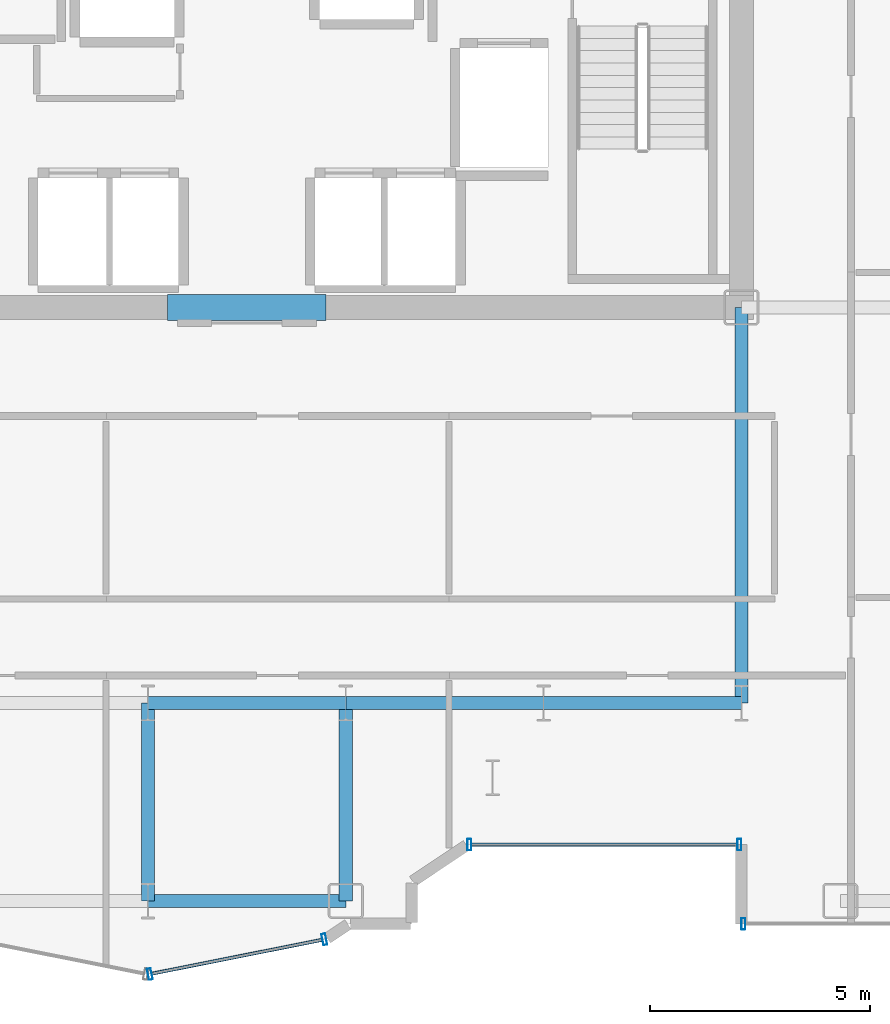
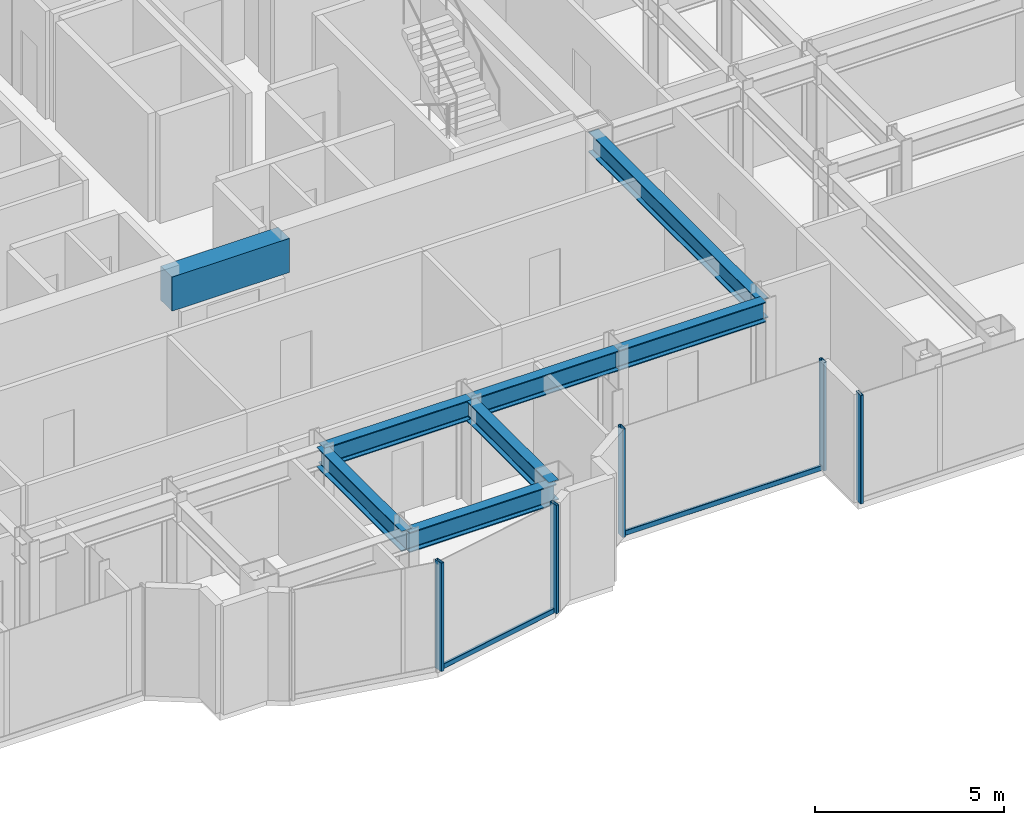
# One storey, part 7 of 23: 8 beams, 7 members, 3 elements without a shape of their own.
"""IFC4 building model written with IfcOpenShell, lengths in metres."""

from ifc_helpers import new_model, si_unit, direction, frame, origin, origin_2d, place, context, subcontext, project, spatial, rectangle, hollow_rectangle, i_section, extrude, source, transform, mapped, material, layer, layer_set, material_profile, profile_set, type_object, element, aggregate, save


model = new_model("IFC4")

# Units and contexts
model_context = context("Model", 3, precision=1e-05, world=origin(), true_north=direction((0.0, 1.0)))
body_context = subcontext(model_context, "Body", "Model", "MODEL_VIEW")
ifc_project = project(units=[si_unit("LENGTHUNIT", "METRE"), si_unit("AREAUNIT", "SQUARE_METRE"), si_unit("VOLUMEUNIT", "CUBIC_METRE"), si_unit("PLANEANGLEUNIT", "RADIAN"), si_unit("MASSUNIT", "GRAM", prefix="KILO")], contexts=[model_context])

# Site, building, storey
site_placement = place(None, origin())
site = spatial("IfcSite", under=ifc_project, at=site_placement, CompositionType="ELEMENT")
building_placement = place(site_placement, origin())
building = spatial("IfcBuilding", under=site, at=building_placement, Name="Nefas-Gora Pilgrimage Tower", CompositionType="ELEMENT")
storey_placement = place(building_placement, frame((0.0, 0.0, 198.199951171875)))
storey = spatial("IfcBuildingStorey", under=building, at=storey_placement, Name="L49", CompositionType="ELEMENT", Elevation=198.199951171875)

# Beams
ifc_material_1 = material(Name="Concrete C60/75", Category="concrete")
ifc_material_profile_1 = material_profile(ifc_material_1, rectangle(XDim=0.60009765625, YDim=1.10009765625, at=origin_2d()), Name="RC 600x1100")
ifc_profile_set_1 = profile_set([ifc_material_profile_1], Name="Concrete C60/75")
beam_type_1 = type_object("IfcBeamType", Name="BM-LIN-RC1100", PredefinedType="LINTEL", material=ifc_profile_set_1)
shared_shape_1 = source(origin(), body_context, "Body", "SweptSolid", [
    extrude(rectangle(XDim=0.60009765625, YDim=1.10009765625, at=origin_2d()), origin(), (0.0, 0.0, 1.0), 3.60009765625),
])
beam_1_placement = place(storey_placement, frame((-1.800048828125, -9.0, 2.949951171875), z_axis=(1.0, 0.0, 0.0), x_axis=(0.0, 1.0, 0.0)))
element("IfcBeam", 1, at=beam_1_placement, inside=storey, type_object=beam_type_1, Name="L49 Core Coupling Lintel Beam S", PredefinedType="LINTEL", context=body_context, shape_type="MappedRepresentation", body=[
    mapped(shared_shape_1, transform((0.0, 0.0, 0.0), x_axis=(1.0, 0.0, 0.0), y_axis=(0.0, 1.0, 0.0), z_axis=(0.0, 0.0, 1.0), scale=1.0)),
])
ifc_material_2 = material(Name="Steel S355", Category="steel")
ifc_material_profile_2 = material_profile(ifc_material_2, i_section(OverallWidth=0.300048828125, OverallDepth=0.64990234375, WebThickness=0.01611328125, FlangeThickness=0.031005859375, FilletRadius=0.027099609375, at=origin_2d()), Name="HEB 650")
ifc_profile_set_2 = profile_set([ifc_material_profile_2], Name="Steel S355")
beam_type_2 = type_object("IfcBeamType", Name="BM-GIR-HEB650", PredefinedType="BEAM", material=ifc_profile_set_2)
shared_shape_2 = source(origin(), body_context, "Body", "SweptSolid", [
    extrude(i_section(OverallWidth=0.300048828125, OverallDepth=0.64990234375, WebThickness=0.01611328125, FlangeThickness=0.031005859375, FilletRadius=0.027099609375, at=origin_2d()), origin(), (0.0, 0.0, 1.0), 9.0),
])
beam_2_placement = place(storey_placement, frame((11.25, -18.0, 3.175048828125), z_axis=(0.0, 1.0, 0.0), x_axis=(-1.0, 0.0, 0.0)))
element("IfcBeam", 2, at=beam_2_placement, inside=storey, type_object=beam_type_2, Name="L49 G-03 beam", PredefinedType="BEAM", context=body_context, shape_type="MappedRepresentation", body=[
    mapped(shared_shape_2, transform((0.0, 0.0, 0.0), x_axis=(1.0, 0.0, 0.0), y_axis=(0.0, 1.0, 0.0), z_axis=(0.0, 0.0, 1.0), scale=1.0)),
])
shared_shape_3 = source(origin(), body_context, "Body", "SweptSolid", [
    extrude(i_section(OverallWidth=0.300048828125, OverallDepth=0.64990234375, WebThickness=0.01611328125, FlangeThickness=0.031005859375, FilletRadius=0.027099609375, at=origin_2d()), origin(), (0.0, 0.0, 1.0), 4.5),
])
for number, where, z_axis, x_axis, name in (
    (3, (-2.25, -22.5, 3.175048828125), (0.0, 1.0, 0.0), (-1.0, 0.0, 0.0), "L49 G-03 beam"),
    (4, (-2.25, -22.5, 3.175048828125), (1.0, 0.0, 0.0), (0.0, 1.0, 0.0), "L49 G-03 beam"),
    (5, (-2.25, -18.0, 3.175048828125), (1.0, 0.0, 0.0), (0.0, 1.0, 0.0), "L49 G-03 beam"),
    (6, (2.25, -22.5, 3.175048828125), (0.0, 1.0, 0.0), (-1.0, 0.0, 0.0), "L49 G-03 beam"),
    (7, (2.25, -18.0, 3.175048828125), (1.0, 0.0, 0.0), (0.0, 1.0, 0.0), "L49 G-03 beam"),
    (8, (6.75, -18.0, 3.175048828125), (1.0, 0.0, 0.0), (0.0, 1.0, 0.0), "L49 G-03 beam"),
):
    element("IfcBeam", number, at=place(storey_placement, frame(where, z_axis=z_axis, x_axis=x_axis)), inside=storey, type_object=beam_type_2, Name=name, PredefinedType="BEAM", context=body_context, shape_type="MappedRepresentation", body=[
        mapped(shared_shape_3, transform((0.0, 0.0, 0.0), x_axis=(1.0, 0.0, 0.0), y_axis=(0.0, 1.0, 0.0), z_axis=(0.0, 0.0, 1.0), scale=1.0)),
    ])

# Curtain wall, member
ifc_material_3 = material(Name="Dark ceramic-fritted solar-control aluminium-glass curtain wall", Category="aluminium")
ifc_layer_1 = layer(ifc_material_3, 0.219970703125)
ifc_layer_set_1 = layer_set([ifc_layer_1], Name="Dark ceramic-fritted solar-control aluminium-glass curtain wall")
curtain_wall_type_1 = type_object("IfcCurtainWallType", Name="CW-SYS-5", PredefinedType="NOTDEFINED", material=ifc_layer_set_1)
curtain_wall_1_placement = place(storey_placement, origin())
curtain_wall_1 = element("IfcCurtainWall", 9, at=curtain_wall_1_placement, inside=storey, type_object=curtain_wall_type_1, Name="L49 Unitised Curtain Wall CW5", PredefinedType="NOTDEFINED")
ifc_material_4 = material(Name="Anodised architectural aluminium", Category="aluminium")
ifc_material_profile_3 = material_profile(ifc_material_4, hollow_rectangle(XDim=0.080078125, YDim=0.159912109375, WallThickness=0.00439453125, InnerFilletRadius=0.00439453125, OuterFilletRadius=0.009033203125, at=origin_2d()), Name="ALU TRANSOM 80x160")
ifc_profile_set_3 = profile_set([ifc_material_profile_3], Name="Anodised architectural aluminium")
member_type_1 = type_object("IfcMemberType", Name="CWM-TRN-5", PredefinedType="USERDEFINED", material=ifc_profile_set_3)
shared_shape_4 = source(origin(), body_context, "Body", "SweptSolid", [
    extrude(hollow_rectangle(XDim=0.080078125, YDim=0.159912109375, WallThickness=0.00439453125, InnerFilletRadius=0.00439453125, OuterFilletRadius=0.009033203125, at=origin_2d()), origin(), (0.0, 0.0, 1.0), 6.052001953125),
])
member_1_placement = place(storey_placement, frame((5.10791015625, -21.219970703125, 0.050048828125), z_axis=(1.0, 0.0, 0.0), x_axis=(0.0, 1.0, 0.0)))
member_1 = element("IfcMember", 10, at=member_1_placement, type_object=member_type_1, Name="CW5 Spandrel Transom", ObjectType="TRANSOM", PredefinedType="USERDEFINED", context=body_context, shape_type="MappedRepresentation", body=[
    mapped(shared_shape_4, transform((0.0, 0.0, 0.0), x_axis=(1.0, 0.0, 0.0), y_axis=(0.0, 1.0, 0.0), z_axis=(0.0, 0.0, 1.0), scale=1.0)),
])

curtain_wall_2_placement = place(storey_placement, origin())
curtain_wall_2 = element("IfcCurtainWall", 11, at=curtain_wall_2_placement, inside=storey, type_object=curtain_wall_type_1, Name="L49 Unitised Curtain Wall CW5", PredefinedType="NOTDEFINED")
shared_shape_5 = source(origin(), body_context, "Body", "SweptSolid", [
    extrude(hollow_rectangle(XDim=0.080078125, YDim=0.159912109375, WallThickness=0.00439453125, InnerFilletRadius=0.00439453125, OuterFilletRadius=0.009033203125, at=origin_2d()), origin(), (0.0, 0.0, 1.0), 3.95654296875),
])
member_2_placement = place(storey_placement, frame((-2.16162109375, -24.15478515625, 0.050048828125), z_axis=(0.980781880918, 0.195107411605, 0.0), x_axis=(-0.195107411605, 0.980781880918, 0.0)))
member_2 = element("IfcMember", 12, at=member_2_placement, type_object=member_type_1, Name="CW5 Spandrel Transom", ObjectType="TRANSOM", PredefinedType="USERDEFINED", context=body_context, shape_type="MappedRepresentation", body=[
    mapped(shared_shape_5, transform((0.0, 0.0, 0.0), x_axis=(1.0, 0.0, 0.0), y_axis=(0.0, 1.0, 0.0), z_axis=(0.0, 0.0, 1.0), scale=1.0)),
])

# Member
ifc_material_profile_4 = material_profile(ifc_material_4, hollow_rectangle(XDim=0.090087890625, YDim=0.260009765625, WallThickness=0.006103515625, InnerFilletRadius=0.006103515625, OuterFilletRadius=0.011962890625, at=origin_2d()), Name="ALU MULLION 90x260")
ifc_profile_set_4 = profile_set([ifc_material_profile_4], Name="Anodised architectural aluminium")
member_type_2 = type_object("IfcMemberType", Name="CWM-MUL-5", PredefinedType="MULLION", material=ifc_profile_set_4)
shared_shape_6 = source(origin(), body_context, "Body", "SweptSolid", [
    extrude(hollow_rectangle(XDim=0.090087890625, YDim=0.260009765625, WallThickness=0.006103515625, InnerFilletRadius=0.006103515625, OuterFilletRadius=0.011962890625, at=origin_2d()), origin(), (0.0, 0.0, 1.0), 3.5),
])
member_3_placement = place(storey_placement, frame((5.06298828125, -21.219970703125, 0.0), z_axis=(0.0, 0.0, 1.0), x_axis=(1.0, 0.0, 0.0)))
member_3 = element("IfcMember", 13, at=member_3_placement, type_object=member_type_2, Name="CW5 Mullion 1", PredefinedType="MULLION", context=body_context, shape_type="MappedRepresentation", body=[
    mapped(shared_shape_6, transform((0.0, 0.0, 0.0), x_axis=(1.0, 0.0, 0.0), y_axis=(0.0, 1.0, 0.0), z_axis=(0.0, 0.0, 1.0), scale=1.0)),
])

member_4_placement = place(storey_placement, frame((11.205078125, -21.219970703125, 0.0), z_axis=(0.0, 0.0, 1.0), x_axis=(1.0, 0.0, 0.0)))
member_4 = element("IfcMember", 14, at=member_4_placement, type_object=member_type_2, Name="CW5 Mullion 2", PredefinedType="MULLION", context=body_context, shape_type="MappedRepresentation", body=[
    mapped(shared_shape_6, transform((0.0, 0.0, 0.0), x_axis=(1.0, 0.0, 0.0), y_axis=(0.0, 1.0, 0.0), z_axis=(0.0, 0.0, 1.0), scale=1.0)),
])

aggregate(curtain_wall_1, [member_3, member_4, member_1])

member_5_placement = place(storey_placement, frame((-2.205810546875, -24.16357421875, 0.0), z_axis=(0.0, 0.0, 1.0), x_axis=(0.980782896852, 0.195102304554, 0.0)))
member_5 = element("IfcMember", 15, at=member_5_placement, type_object=member_type_2, Name="CW5 Mullion 1", PredefinedType="MULLION", context=body_context, shape_type="MappedRepresentation", body=[
    mapped(shared_shape_6, transform((0.0, 0.0, 0.0), x_axis=(1.0, 0.0, 0.0), y_axis=(0.0, 1.0, 0.0), z_axis=(0.0, 0.0, 1.0), scale=1.0)),
])

member_6_placement = place(storey_placement, frame((1.76318359375, -23.3740234375, 0.0), z_axis=(0.0, 0.0, 1.0), x_axis=(0.980782896852, 0.195102304554, 0.0)))
member_6 = element("IfcMember", 16, at=member_6_placement, type_object=member_type_2, Name="CW5 Mullion 2", PredefinedType="MULLION", context=body_context, shape_type="MappedRepresentation", body=[
    mapped(shared_shape_6, transform((0.0, 0.0, 0.0), x_axis=(1.0, 0.0, 0.0), y_axis=(0.0, 1.0, 0.0), z_axis=(0.0, 0.0, 1.0), scale=1.0)),
])

aggregate(curtain_wall_2, [member_5, member_6, member_2])

# Curtain wall, member
ifc_layer_2 = layer(ifc_material_3, 0.219970703125)
ifc_layer_set_2 = layer_set([ifc_layer_2], Name="Dark ceramic-fritted solar-control aluminium-glass curtain wall")
curtain_wall_type_2 = type_object("IfcCurtainWallType", Name="CW-SYS-3", PredefinedType="NOTDEFINED", material=ifc_layer_set_2)
curtain_wall_3_placement = place(storey_placement, origin())
curtain_wall_3 = element("IfcCurtainWall", 17, at=curtain_wall_3_placement, inside=storey, type_object=curtain_wall_type_2, Name="L49 Unitised Curtain Wall CW3", PredefinedType="NOTDEFINED")
ifc_material_profile_5 = material_profile(ifc_material_4, hollow_rectangle(XDim=0.090087890625, YDim=0.260009765625, WallThickness=0.006103515625, InnerFilletRadius=0.006103515625, OuterFilletRadius=0.011962890625, at=origin_2d()), Name="ALU MULLION 90x260")
ifc_profile_set_5 = profile_set([ifc_material_profile_5], Name="Anodised architectural aluminium")
member_type_3 = type_object("IfcMemberType", Name="CWM-MUL-3", PredefinedType="MULLION", material=ifc_profile_set_5)
shared_shape_7 = source(origin(), body_context, "Body", "SweptSolid", [
    extrude(hollow_rectangle(XDim=0.090087890625, YDim=0.260009765625, WallThickness=0.006103515625, InnerFilletRadius=0.006103515625, OuterFilletRadius=0.011962890625, at=origin_2d()), origin(), (0.0, 0.0, 1.0), 3.5),
])
member_7_placement = place(storey_placement, frame((11.294921875, -23.02001953125, 0.0), z_axis=(0.0, 0.0, 1.0), x_axis=(1.0, 0.0, 0.0)))
member_7 = element("IfcMember", 18, at=member_7_placement, type_object=member_type_3, Name="CW3 Mullion 1", PredefinedType="MULLION", context=body_context, shape_type="MappedRepresentation", body=[
    mapped(shared_shape_7, transform((0.0, 0.0, 0.0), x_axis=(1.0, 0.0, 0.0), y_axis=(0.0, 1.0, 0.0), z_axis=(0.0, 0.0, 1.0), scale=1.0)),
])
aggregate(curtain_wall_3, [member_7])

save(model, "model.ifc")
